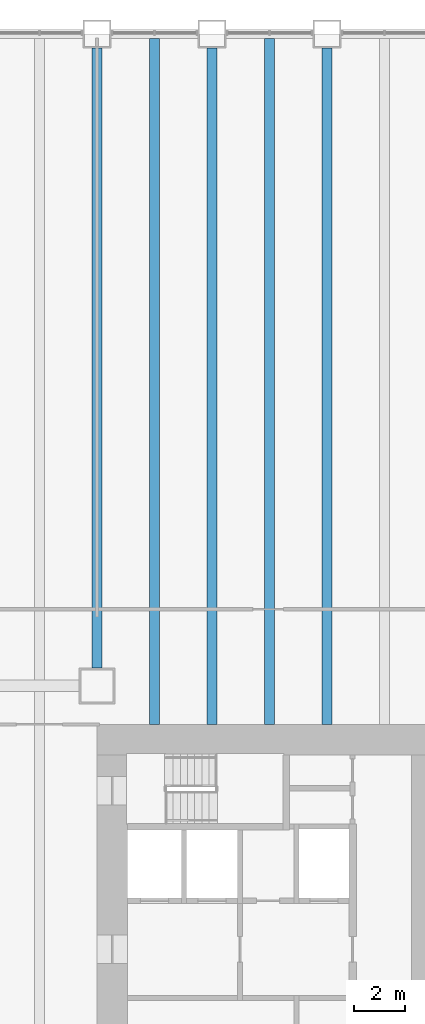
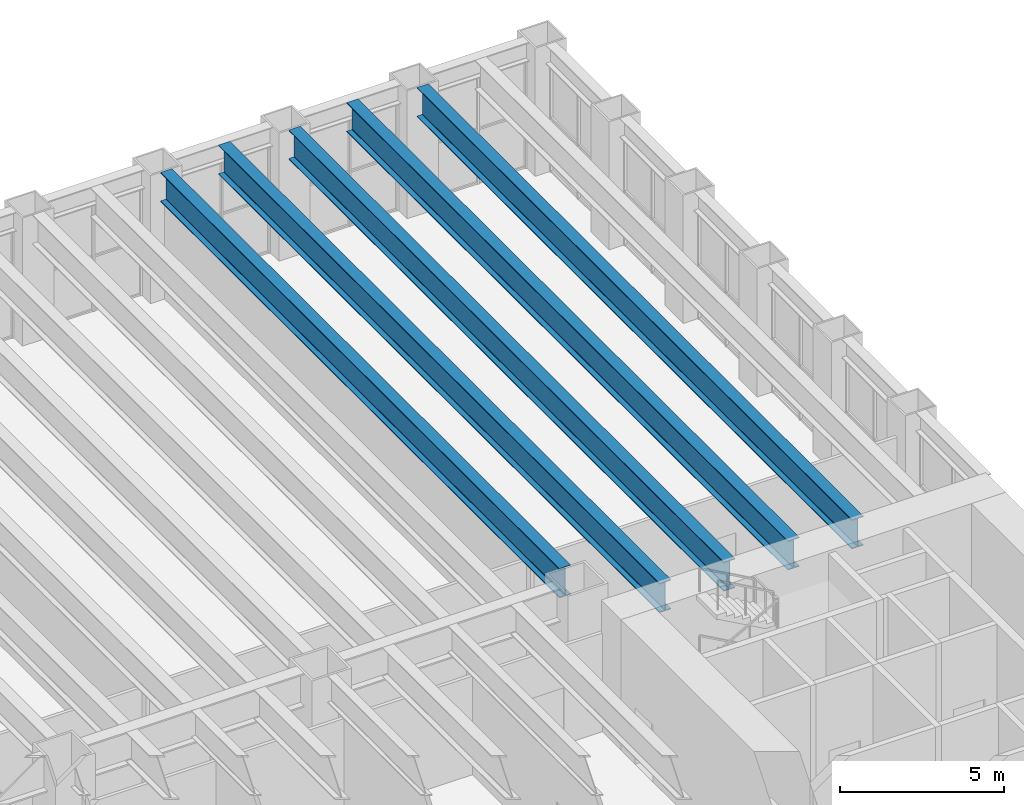
# One storey, part 3 of 19: 5 beams.
"""IFC4 building model written with IfcOpenShell, lengths in metres."""

from ifc_helpers import new_model, si_unit, direction, frame, origin, origin_2d, place, context, subcontext, project, spatial, i_section, extrude, material, material_profile, profile_set, type_object, element, save


model = new_model("IFC4")

# Units and contexts
model_context = context("Model", 3, precision=1e-05, world=origin(), true_north=direction((0.0, 1.0)))
body_context = subcontext(model_context, "Body", "Model", "MODEL_VIEW")
ifc_project = project(units=[si_unit("LENGTHUNIT", "METRE"), si_unit("AREAUNIT", "SQUARE_METRE"), si_unit("VOLUMEUNIT", "CUBIC_METRE"), si_unit("PLANEANGLEUNIT", "RADIAN"), si_unit("MASSUNIT", "GRAM", prefix="KILO")], contexts=[model_context])

# Site, building, storey
site_placement = place(None, origin())
site = spatial("IfcSite", under=ifc_project, at=site_placement, CompositionType="ELEMENT")
building_placement = place(site_placement, origin())
building = spatial("IfcBuilding", under=site, at=building_placement, Name="Sennacour Bend Tower", CompositionType="ELEMENT")
storey_placement = place(building_placement, frame((0.0, 0.0, 19.0)))
storey = spatial("IfcBuildingStorey", under=building, at=storey_placement, Name="L03", CompositionType="ELEMENT", Elevation=19.0)

# Beams
ifc_material = material(Name="Steel ASTM A992 Grade 50", Category="steel")
ifc_material_profile = material_profile(ifc_material, i_section(OverallWidth=0.40087890625, OverallDepth=1.090087890625, WebThickness=0.01806640625, FlangeThickness=0.031005859375, FilletRadius=0.02001953125, at=origin_2d()), Name="Steel ASTM A992 Grade 50", Category="steel")
ifc_profile_set = profile_set([ifc_material_profile], Name="Steel ASTM A992 Grade 50")
beam_type = type_object("IfcBeamType", Name="Notch floor beam W1100X343", PredefinedType="BEAM", material=ifc_profile_set)
beam_1_placement = place(storey_placement, frame((54.0, 24.699951171875, 4.205078125), z_axis=(0.0, 1.0, 0.0), x_axis=(-1.0, 0.0, 0.0)))
element("IfcBeam", 1, at=beam_1_placement, inside=storey, type_object=beam_type, Name="Floor beam FBM4 L04-048", PredefinedType="BEAM", context=body_context, shape_type="SweptSolid", body=[
    extrude(i_section(OverallWidth=0.40087890625, OverallDepth=1.090087890625, WebThickness=0.01806640625, FlangeThickness=0.031005859375, FilletRadius=0.02001953125, at=origin_2d()), origin(), (0.0, 0.0, 1.0), 24.25),
])
beam_2_placement = place(storey_placement, frame((56.25, 22.5, 4.205078125), z_axis=(0.0, 1.0, 0.0), x_axis=(-1.0, 0.0, 0.0)))
element("IfcBeam", 2, at=beam_2_placement, inside=storey, type_object=beam_type, Name="Floor beam FBM4 L04-049", PredefinedType="BEAM", context=body_context, shape_type="SweptSolid", body=[
    extrude(i_section(OverallWidth=0.40087890625, OverallDepth=1.090087890625, WebThickness=0.01806640625, FlangeThickness=0.031005859375, FilletRadius=0.02001953125, at=origin_2d()), origin(), (0.0, 0.0, 1.0), 26.822021484375),
])
beam_3_placement = place(storey_placement, frame((58.5, 22.5, 4.205078125), z_axis=(0.0, 1.0, 0.0), x_axis=(-1.0, 0.0, 0.0)))
element("IfcBeam", 3, at=beam_3_placement, inside=storey, type_object=beam_type, Name="Floor beam FBM4 L04-050", PredefinedType="BEAM", context=body_context, shape_type="SweptSolid", body=[
    extrude(i_section(OverallWidth=0.40087890625, OverallDepth=1.090087890625, WebThickness=0.01806640625, FlangeThickness=0.031005859375, FilletRadius=0.02001953125, at=origin_2d()), origin(), (0.0, 0.0, 1.0), 26.449951171875),
])
beam_4_placement = place(storey_placement, frame((60.75, 22.5, 4.205078125), z_axis=(0.0, 1.0, 0.0), x_axis=(-1.0, 0.0, 0.0)))
element("IfcBeam", 4, at=beam_4_placement, inside=storey, type_object=beam_type, Name="Floor beam FBM4 L04-051", PredefinedType="BEAM", context=body_context, shape_type="SweptSolid", body=[
    extrude(i_section(OverallWidth=0.40087890625, OverallDepth=1.090087890625, WebThickness=0.01806640625, FlangeThickness=0.031005859375, FilletRadius=0.02001953125, at=origin_2d()), origin(), (0.0, 0.0, 1.0), 26.822021484375),
])
beam_5_placement = place(storey_placement, frame((63.0, 22.5, 4.205078125), z_axis=(0.0, 1.0, 0.0), x_axis=(-1.0, 0.0, 0.0)))
element("IfcBeam", 5, at=beam_5_placement, inside=storey, type_object=beam_type, Name="Floor beam FBM4 L04-052", PredefinedType="BEAM", context=body_context, shape_type="SweptSolid", body=[
    extrude(i_section(OverallWidth=0.40087890625, OverallDepth=1.090087890625, WebThickness=0.01806640625, FlangeThickness=0.031005859375, FilletRadius=0.02001953125, at=origin_2d()), origin(), (0.0, 0.0, 1.0), 26.449951171875),
])

save(model, "model.ifc")
